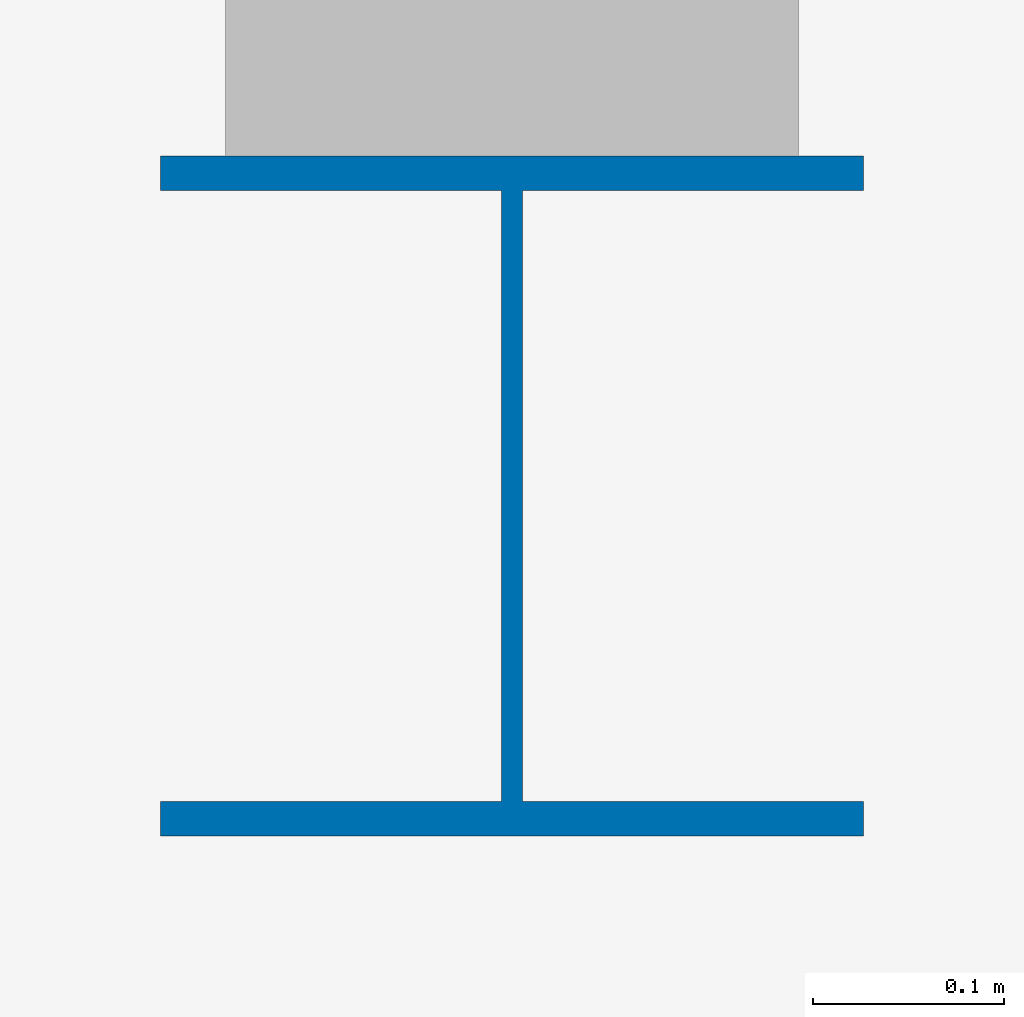
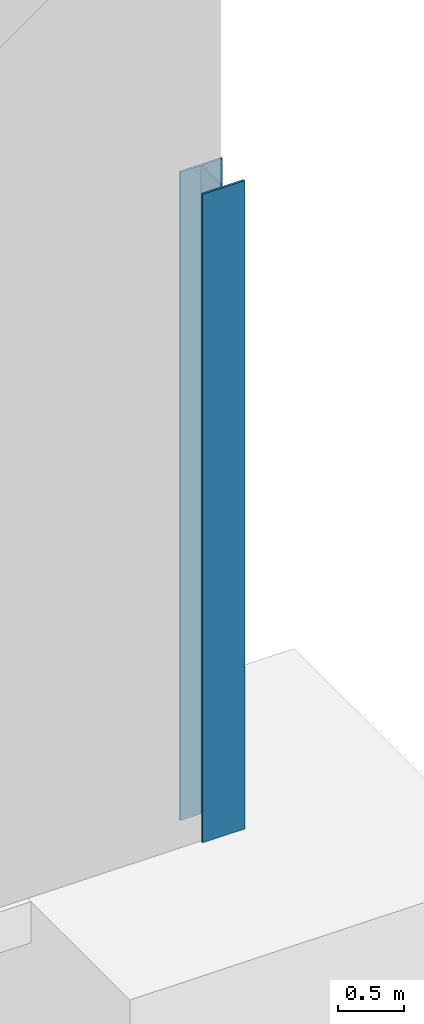
# One storey, part 30 of 131: 1 column.
"""IFC4 building model written with IfcOpenShell, lengths in metres."""

from ifc_helpers import new_model, si_unit, direction, frame, origin, origin_2d, place, context, subcontext, project, spatial, i_section, extrude, material, material_profile, profile_set, type_object, element, save


model = new_model("IFC4")

# Units and contexts
model_context = context("Model", 3, precision=1e-05, world=origin(), true_north=direction((0.0, 1.0)))
body_context = subcontext(model_context, "Body", "Model", "MODEL_VIEW")
ifc_project = project(units=[si_unit("LENGTHUNIT", "METRE"), si_unit("AREAUNIT", "SQUARE_METRE"), si_unit("VOLUMEUNIT", "CUBIC_METRE"), si_unit("PLANEANGLEUNIT", "RADIAN"), si_unit("MASSUNIT", "GRAM", prefix="KILO")], contexts=[model_context])

# Site, building, storey
site_placement = place(None, origin())
site = spatial("IfcSite", under=ifc_project, at=site_placement, CompositionType="ELEMENT")
building_placement = place(site_placement, origin())
building = spatial("IfcBuilding", under=site, at=building_placement, Name="Cazmaro Siding Exhibition Halls", CompositionType="ELEMENT")
storey_placement = place(building_placement, origin())
storey = spatial("IfcBuildingStorey", under=building, at=storey_placement, Name="L00", CompositionType="ELEMENT", Elevation=0.0)

# Column
ifc_material = material(Name="Steel ASTM A992 Grade 50", Category="steel")
ifc_material_profile = material_profile(ifc_material, i_section(OverallWidth=0.367919921875, OverallDepth=0.35595703125, WebThickness=0.010986328125, FlangeThickness=0.01806640625, at=origin_2d()), Name="W14X90")
ifc_profile_set = profile_set([ifc_material_profile], Name="Steel ASTM A992 Grade 50")
column_type = type_object("IfcColumnType", Name="C-05", PredefinedType="COLUMN", material=ifc_profile_set)
column_placement = place(storey_placement, frame((216.0, 64.0, 0.0), z_axis=(0.0, 0.0, 1.0), x_axis=(1.0, 0.0, 0.0)))
element("IfcColumn", 1, at=column_placement, inside=storey, type_object=column_type, Name="Column C-05 COL-0691", PredefinedType="COLUMN", context=body_context, shape_type="SweptSolid", body=[
    extrude(i_section(OverallWidth=0.367919921875, OverallDepth=0.35595703125, WebThickness=0.010986328125, FlangeThickness=0.01806640625, at=origin_2d()), origin(), (0.0, 0.0, 1.0), 6.0),
])

save(model, "model.ifc")
